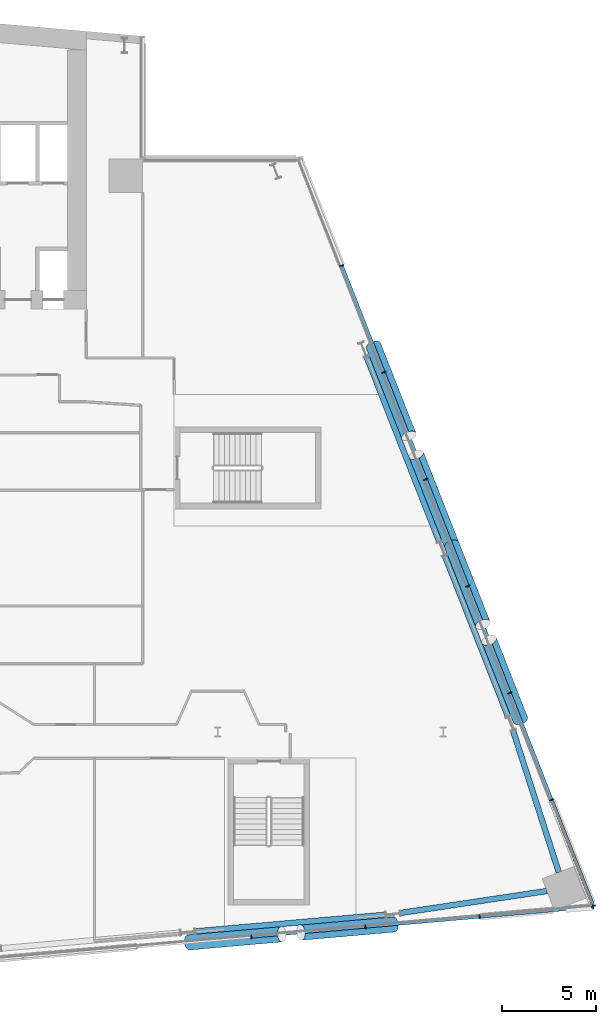
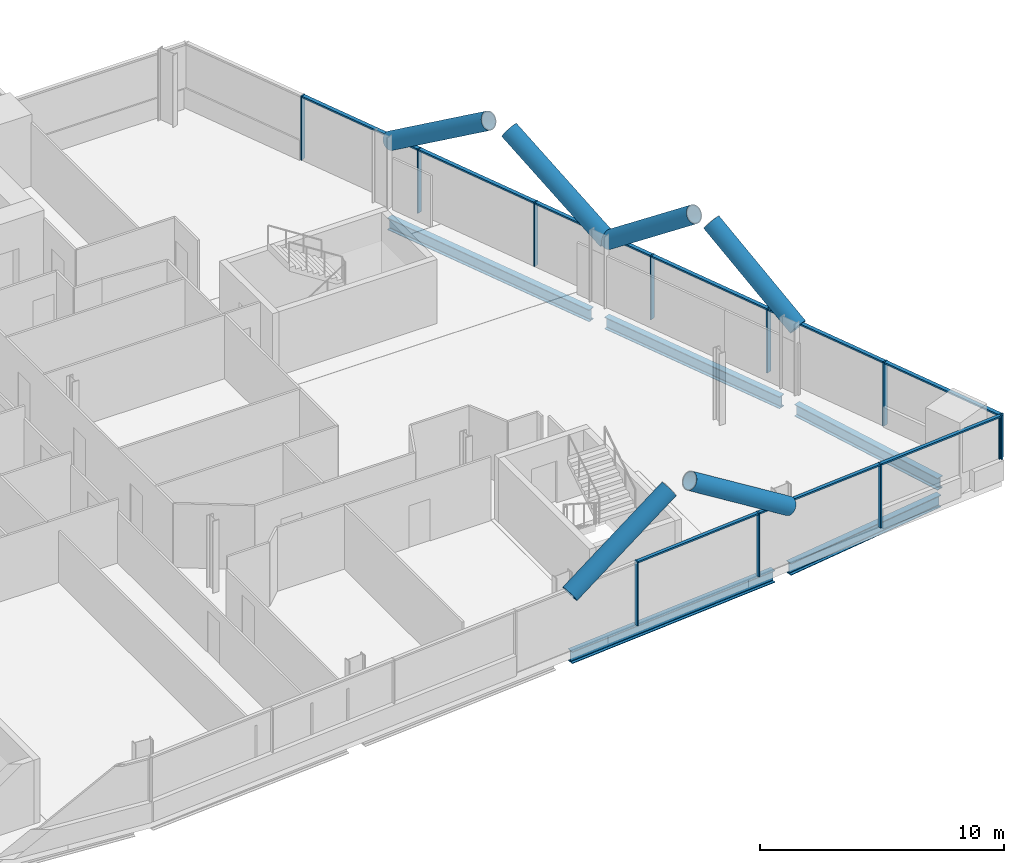
# One storey, part 10 of 26: 26 members, 5 beams, 2 elements without a shape of their own.
"""IFC4 building model written with IfcOpenShell, lengths in metres."""

import ifcopenshell
import ifcopenshell.guid

model = None  # the IFC model being written
_history = None  # IfcOwnerHistory: only IFC2X3 demands one
_inside = {}  # id of a spatial element -> (the spatial element, [elements in it])
_under = {}  # id of a project, library or spatial element -> (it, [spatial elements below it])
_declared = {}  # id of a project -> (the project, [libraries it declares])
_typed = {}  # id of a type object -> (the type object, [elements of that type])
_made_of = {}  # id of a material, layer set ... -> (it, [elements and type objects made of it])


def new_model(schema):
    """Start an empty IFC model of exactly this schema.

    Asked for "IFC4X3", IfcOpenShell would pick the latest addendum, in which some entities
    have other attributes; the version numbers below select the first issue.
    IFC2X3 requires an IfcOwnerHistory on every rooted entity: one is made here for all.
    """
    global model, _history
    if schema == "IFC4X3":
        model = ifcopenshell.file(schema_version=(4, 3, 0, 0))
    else:
        model = ifcopenshell.file(schema=schema)
    _inside.clear()
    _under.clear()
    _declared.clear()
    _typed.clear()
    _made_of.clear()
    _history = None
    if model.schema == "IFC2X3":
        org = make("IfcOrganization", Name="unknown")
        user = make(
            "IfcPersonAndOrganization",
            ThePerson=make("IfcPerson", FamilyName="unknown"),
            TheOrganization=org,
        )
        app = make(
            "IfcApplication",
            ApplicationDeveloper=org,
            Version="unknown",
            ApplicationFullName="unknown",
            ApplicationIdentifier="unknown",
        )
        _history = make(
            "IfcOwnerHistory",
            OwningUser=user,
            OwningApplication=app,
            ChangeAction="ADDED",
            CreationDate=0,
        )
    return model


def make(cls, **values):
    """One entity of the class cls with the attributes given. An attribute that is None is left unset."""
    return model.create_entity(
        cls, **{name: value for name, value in values.items() if value is not None}
    )


def rooted(cls, **values):
    """An entity with a GlobalId (a new one), such as an element, a storey or a relation."""
    return make(cls, GlobalId=ifcopenshell.guid.new(), OwnerHistory=_history, **values)


def si_unit(unit_type, name, prefix=None):
    """IfcSIUnit, for example si_unit("LENGTHUNIT", "METRE", prefix="MILLI")."""
    return make("IfcSIUnit", UnitType=unit_type, Prefix=prefix, Name=name)


def assignment(units):
    """IfcUnitAssignment: the units of a project."""
    return None if units is None else make("IfcUnitAssignment", Units=units)


def point(xyz):
    """IfcCartesianPoint."""
    return None if xyz is None else make("IfcCartesianPoint", Coordinates=xyz)


def direction(xyz):
    """IfcDirection."""
    return None if xyz is None else make("IfcDirection", DirectionRatios=xyz)


def frame(location, z_axis=None, x_axis=None):
    """IfcAxis2Placement3D, a coordinate frame: its origin and axes. An axis left out is left unset."""
    return make(
        "IfcAxis2Placement3D",
        Location=point(location),
        Axis=direction(z_axis),
        RefDirection=direction(x_axis),
    )


def frame_2d(location, x_axis=None):
    """IfcAxis2Placement2D, a coordinate frame in the plane: its origin and x axis."""
    return make(
        "IfcAxis2Placement2D", Location=point(location), RefDirection=direction(x_axis)
    )


def origin():
    """The frame at (0, 0, 0) with its axes left unset."""
    return frame((0.0, 0.0, 0.0))


def origin_2d():
    """The frame at (0, 0) in the plane with its x axis left unset."""
    return frame_2d((0.0, 0.0))


def place(relative_to, where):
    """IfcLocalPlacement: puts the frame where relative to a parent placement (None: the world)."""
    return make(
        "IfcLocalPlacement", PlacementRelTo=relative_to, RelativePlacement=where
    )


def context(
    kind, dimensions, precision=None, world=None, true_north=None, identifier=None
):
    """IfcGeometricRepresentationContext, for example the 3D "Model" context."""
    return make(
        "IfcGeometricRepresentationContext",
        ContextIdentifier=identifier,
        ContextType=kind,
        CoordinateSpaceDimension=dimensions,
        Precision=precision,
        WorldCoordinateSystem=world,
        TrueNorth=true_north,
    )


def subcontext(parent, identifier, kind, view, scale=None):
    """IfcGeometricRepresentationSubContext, for example "Body" below "Model"."""
    return make(
        "IfcGeometricRepresentationSubContext",
        ContextIdentifier=identifier,
        ContextType=kind,
        ParentContext=parent,
        TargetScale=scale,
        TargetView=view,
    )


def project(units=None, contexts=None):
    """IfcProject with its units and contexts."""
    return rooted(
        "IfcProject",
        Name="project",
        RepresentationContexts=contexts,
        UnitsInContext=assignment(units),
    )


def spatial(cls, under=None, at=None, **own):
    """A site, building, storey or space (cls), placed at a placement, below another one or the project."""
    s = rooted(cls, ObjectPlacement=at, **own)
    if under is not None:
        _under.setdefault(under.id(), (under, []))[1].append(s)
    return s


def profile(cls, at=None, kind="AREA", **sizes):
    """A parametric profile (cls). Its sizes go by their IFC names, for example OverallWidth=200.0."""
    return make(cls, ProfileType=kind, Position=at, **sizes)


def rectangle(**sizes):
    """IfcRectangleProfileDef."""
    return profile("IfcRectangleProfileDef", **sizes)


def hollow_circle(**sizes):
    """IfcCircleHollowProfileDef."""
    return profile("IfcCircleHollowProfileDef", **sizes)


def i_section(**sizes):
    """IfcIShapeProfileDef."""
    return profile("IfcIShapeProfileDef", **sizes)


def extrude(swept, where, along, depth):
    """IfcExtrudedAreaSolid: the profile swept, set in the frame where, extruded along a direction by depth."""
    return make(
        "IfcExtrudedAreaSolid",
        SweptArea=swept,
        Position=where,
        ExtrudedDirection=direction(along),
        Depth=depth,
    )


def shape(context_of_items, identifier, shape_type, items):
    """IfcShapeRepresentation: the items that make up one representation, for example the "Body"."""
    return make(
        "IfcShapeRepresentation",
        ContextOfItems=context_of_items,
        RepresentationIdentifier=identifier,
        RepresentationType=shape_type,
        Items=items,
    )


def material(Name=None, Category=None):
    """IfcMaterial."""
    return make("IfcMaterial", Name=Name, Category=Category)


def material_profile(
    of_material, cross_section, Name=None, Category=None, Priority=None
):
    """IfcMaterialProfile: a cross section and its material."""
    return make(
        "IfcMaterialProfile",
        Name=Name,
        Material=of_material,
        Profile=cross_section,
        Priority=Priority,
        Category=Category,
    )


def profile_set(profiles, Name=None, composite=None):
    """IfcMaterialProfileSet."""
    return make(
        "IfcMaterialProfileSet",
        Name=Name,
        MaterialProfiles=profiles,
        CompositeProfile=composite,
    )


def made_of(thing, what):
    """Note that an element or type object is made of a material, layer set ...; save() writes the relation."""
    if what is not None:
        _made_of.setdefault(what.id(), (what, []))[1].append(thing)
    return thing


def type_object(cls, material=None, **own):
    """A type object (cls), such as IfcWallType, which elements share."""
    return made_of(rooted(cls, **own), material)


def element(
    cls,
    number,
    at=None,
    inside=None,
    cuts=None,
    type_object=None,
    material=None,
    context=None,
    identifier="Body",
    shape_type=None,
    held_by="IfcProductDefinitionShape",
    body=None,
    shapes=None,
    **own,
):
    """One element of the class cls, such as IfcWall. Its Tag is "e" and its number.

    at: its placement. inside: the storey or other place that contains it. cuts: it is an
    opening in that element (IfcRelVoidsElement). A single representation is given by context,
    identifier, shape_type and body (its items); several are given by shapes. held_by: the class
    of the entity that holds the representations. save() writes the other relations.
    """
    e = rooted(cls, Tag="e%d" % number, ObjectPlacement=at, **own)
    if body is not None:
        shapes = [shape(context, identifier, shape_type, body)]
    if shapes is not None:
        e.Representation = make(held_by, Representations=shapes)
    if inside is not None:
        _inside.setdefault(inside.id(), (inside, []))[1].append(e)
    if cuts is not None:
        rooted(
            "IfcRelVoidsElement", RelatingBuildingElement=cuts, RelatedOpeningElement=e
        )
    if type_object is not None:
        _typed.setdefault(type_object.id(), (type_object, []))[1].append(e)
    return made_of(e, material)


def aggregate(whole, parts):
    """IfcRelAggregates: a whole, such as a stair, and the parts it consists of."""
    return rooted("IfcRelAggregates", RelatingObject=whole, RelatedObjects=parts)


def save(model, path):
    """Write the relations noted so far, then the file.

    IfcRelAggregates (storeys below a building ...), IfcRelContainedInSpatialStructure (elements
    in a storey), IfcRelDefinesByType, IfcRelAssociatesMaterial and IfcRelDeclares: one each for
    every whole, place, type object, material and project.
    """
    for whole, parts in _under.values():
        aggregate(whole, parts)
    for where, things in _inside.values():
        rooted(
            "IfcRelContainedInSpatialStructure",
            RelatedElements=things,
            RelatingStructure=where,
        )
    for kind, things in _typed.values():
        rooted("IfcRelDefinesByType", RelatedObjects=things, RelatingType=kind)
    for what, things in _made_of.values():
        rooted("IfcRelAssociatesMaterial", RelatedObjects=things, RelatingMaterial=what)
    for by, libraries in _declared.values():
        rooted("IfcRelDeclares", RelatingContext=by, RelatedDefinitions=libraries)
    model.write(path)


model = new_model("IFC4")

# Units and contexts
model_context = context("Model", 3, precision=1e-05, world=origin(), true_north=direction((0.0, 1.0)))
body_context = subcontext(model_context, "Body", "Model", "MODEL_VIEW")
ifc_project = project(units=[si_unit("LENGTHUNIT", "METRE"), si_unit("AREAUNIT", "SQUARE_METRE"), si_unit("VOLUMEUNIT", "CUBIC_METRE"), si_unit("PLANEANGLEUNIT", "RADIAN"), si_unit("MASSUNIT", "GRAM", prefix="KILO")], contexts=[model_context])

# Site, building, storey
site_placement = place(None, origin())
site = spatial("IfcSite", under=ifc_project, at=site_placement, CompositionType="ELEMENT")
building_placement = place(site_placement, origin())
building = spatial("IfcBuilding", under=site, at=building_placement, Name="Wharfspan Tower", CompositionType="ELEMENT")
storey_placement = place(building_placement, frame((0.0, 0.0, 114.699951)))
storey = spatial("IfcBuildingStorey", under=building, at=storey_placement, Name="L26", CompositionType="ELEMENT", Elevation=114.699951)

# Beams
ifc_material_1 = material(Name="Steel S355J2", Category="steel")
ifc_material_profile_1 = material_profile(ifc_material_1, i_section(OverallWidth=0.300049, OverallDepth=0.600098, WebThickness=0.015381, FlangeThickness=0.030029, FilletRadius=0.0271, at=origin_2d()))
ifc_profile_set_1 = profile_set([ifc_material_profile_1], Name="Steel S355J2")
beam_type = type_object("IfcBeamType", Name="Edge beam HEB 600", PredefinedType="SPANDREL", material=ifc_profile_set_1)
beam_1_placement = place(storey_placement, frame((70.805664, 0.887695, -0.699951), z_axis=(0.996194, 0.087159, 0.0), x_axis=(-0.087159, 0.996194, 0.0)))
element("IfcBeam", 1, at=beam_1_placement, inside=storey, type_object=beam_type, Name="Edge beam S2 L26 PS2.2 to PS2.3", PredefinedType="SPANDREL", context=body_context, shape_type="SweptSolid", body=[
    extrude(i_section(OverallWidth=0.300049, OverallDepth=0.600098, WebThickness=0.015381, FlangeThickness=0.030029, FilletRadius=0.0271, at=origin_2d()), origin(), (0.0, 0.0, 1.0), 10.159424),
])
beam_2_placement = place(storey_placement, frame((81.727295, 1.868408, -0.699951), z_axis=(0.988926, 0.148412, 0.0), x_axis=(-0.148412, 0.988926, 0.0)))
element("IfcBeam", 2, at=beam_2_placement, inside=storey, type_object=beam_type, Name="Edge beam S2 L26 PS2.3 to MC4", PredefinedType="SPANDREL", context=body_context, shape_type="SweptSolid", body=[
    extrude(i_section(OverallWidth=0.300049, OverallDepth=0.600098, WebThickness=0.015381, FlangeThickness=0.030029, FilletRadius=0.0271, at=origin_2d()), origin(), (0.0, 0.0, 1.0), 7.87793),
])
beam_3_placement = place(storey_placement, frame((90.150879, 4.02832, -0.699951), z_axis=(-0.307851, 0.951434, 0.0), x_axis=(-0.951434, -0.307851, 0.0)))
element("IfcBeam", 3, at=beam_3_placement, inside=storey, type_object=beam_type, Name="Edge beam E L26 MC4 to PE.1", PredefinedType="SPANDREL", context=body_context, shape_type="SweptSolid", body=[
    extrude(i_section(OverallWidth=0.300049, OverallDepth=0.600098, WebThickness=0.015381, FlangeThickness=0.030029, FilletRadius=0.0271, at=origin_2d()), origin(), (0.0, 0.0, 1.0), 7.924805),
])
beam_4_placement = place(storey_placement, frame((87.439453, 12.327637, -0.699951), z_axis=(-0.365779, 0.930702, 0.0), x_axis=(-0.930702, -0.365779, 0.0)))
element("IfcBeam", 4, at=beam_4_placement, inside=storey, type_object=beam_type, Name="Edge beam E L26 PE.1 to PE.2", PredefinedType="SPANDREL", context=body_context, shape_type="SweptSolid", body=[
    extrude(i_section(OverallWidth=0.300049, OverallDepth=0.600098, WebThickness=0.015381, FlangeThickness=0.030029, FilletRadius=0.0271, at=origin_2d()), origin(), (0.0, 0.0, 1.0), 9.184814),
])
beam_5_placement = place(storey_placement, frame((83.785156, 21.625977, -0.699951), z_axis=(-0.365789, 0.930698, 0.0), x_axis=(-0.930698, -0.365789, 0.0)))
element("IfcBeam", 5, at=beam_5_placement, inside=storey, type_object=beam_type, Name="Edge beam E L26 PE.2 to PE.3", PredefinedType="SPANDREL", context=body_context, shape_type="SweptSolid", body=[
    extrude(i_section(OverallWidth=0.300049, OverallDepth=0.600098, WebThickness=0.015381, FlangeThickness=0.030029, FilletRadius=0.0271, at=origin_2d()), origin(), (0.0, 0.0, 1.0), 10.584961),
])

# Curtain wall, members
ifc_material_2 = material(Name="Aluminium 6063-T6", Category="aluminium")
curtain_wall_type_1 = type_object("IfcCurtainWallType", Name="CURTAIN WALL FACETED FRONT", PredefinedType="NOTDEFINED", material=ifc_material_2)
curtain_wall_1_placement = place(storey_placement, origin())
curtain_wall_1 = element("IfcCurtainWall", 6, at=curtain_wall_1_placement, inside=storey, type_object=curtain_wall_type_1, Name="Curtain wall S2", PredefinedType="NOTDEFINED")
ifc_material_profile_2 = material_profile(ifc_material_2, rectangle(XDim=0.199951, YDim=0.060059, at=origin_2d()))
ifc_profile_set_2 = profile_set([ifc_material_profile_2], Name="Aluminium 6063-T6")
member_type_1 = type_object("IfcMemberType", Name="MULLION FACETED FRONT 60x200", PredefinedType="MULLION", material=ifc_profile_set_2)
member_1_placement = place(storey_placement, frame((73.785645, 0.606445, 0.0), z_axis=(0.0, 0.0, 1.0), x_axis=(-0.087156, 0.996198, 0.0)))
member_1 = element("IfcMember", 7, at=member_1_placement, type_object=member_type_1, Name="Curtain wall S2 mullion 5", PredefinedType="MULLION", context=body_context, shape_type="SweptSolid", body=[
    extrude(rectangle(XDim=0.199951, YDim=0.060059, at=origin_2d()), origin(), (0.0, 0.0, 1.0), 3.199951),
])
member_2_placement = place(storey_placement, frame((79.857178, 1.137695, 0.0), z_axis=(0.0, 0.0, 1.0), x_axis=(-0.087156, 0.996198, 0.0)))
member_2 = element("IfcMember", 8, at=member_2_placement, type_object=member_type_1, Name="Curtain wall S2 mullion 6", PredefinedType="MULLION", context=body_context, shape_type="SweptSolid", body=[
    extrude(rectangle(XDim=0.199951, YDim=0.060059, at=origin_2d()), origin(), (0.0, 0.0, 1.0), 3.199951),
])
member_3_placement = place(storey_placement, frame((85.928467, 1.668701, 0.0), z_axis=(0.0, 0.0, 1.0), x_axis=(-0.087156, 0.996198, 0.0)))
member_3 = element("IfcMember", 9, at=member_3_placement, type_object=member_type_1, Name="Curtain wall S2 mullion 7", PredefinedType="MULLION", context=body_context, shape_type="SweptSolid", body=[
    extrude(rectangle(XDim=0.199951, YDim=0.060059, at=origin_2d()), origin(), (0.0, 0.0, 1.0), 3.199951),
])
member_4_placement = place(storey_placement, frame((91.970215, 2.197266, 1.0), z_axis=(0.0, 0.0, 1.0), x_axis=(-0.087156, 0.996198, 0.0)))
member_4 = element("IfcMember", 10, at=member_4_placement, type_object=member_type_1, Name="Curtain wall S2 mullion 8", PredefinedType="MULLION", context=body_context, shape_type="SweptSolid", body=[
    extrude(rectangle(XDim=0.199951, YDim=0.060059, at=origin_2d()), origin(), (0.0, 0.0, 1.0), 2.199951),
])

curtain_wall_type_2 = type_object("IfcCurtainWallType", Name="CURTAIN WALL PROW AND END", PredefinedType="NOTDEFINED", material=ifc_material_2)
curtain_wall_2_placement = place(storey_placement, origin())
curtain_wall_2 = element("IfcCurtainWall", 11, at=curtain_wall_2_placement, inside=storey, type_object=curtain_wall_type_2, Name="Curtain wall E", PredefinedType="NOTDEFINED")
ifc_material_profile_3 = material_profile(ifc_material_2, rectangle(XDim=0.23999, YDim=0.060059, at=origin_2d()))
ifc_profile_set_3 = profile_set([ifc_material_profile_3], Name="Aluminium 6063-T6")
member_type_2 = type_object("IfcMemberType", Name="MULLION PROW AND END 60x240", PredefinedType="MULLION", material=ifc_profile_set_3)
member_5_placement = place(storey_placement, frame((91.989014, 2.228027, 1.0), z_axis=(0.0, 0.0, 1.0), x_axis=(-0.930702, -0.365778, 0.0)))
member_5 = element("IfcMember", 12, at=member_5_placement, type_object=member_type_2, Name="Curtain wall E mullion 1", PredefinedType="MULLION", context=body_context, shape_type="SweptSolid", body=[
    extrude(rectangle(XDim=0.23999, YDim=0.060059, at=origin_2d()), origin(), (0.0, 0.0, 1.0), 2.199951),
])
member_6_placement = place(storey_placement, frame((89.765381, 7.885742, 0.0), z_axis=(0.0, 0.0, 1.0), x_axis=(-0.930702, -0.365778, 0.0)))
member_6 = element("IfcMember", 13, at=member_6_placement, type_object=member_type_2, Name="Curtain wall E mullion 2", PredefinedType="MULLION", context=body_context, shape_type="SweptSolid", body=[
    extrude(rectangle(XDim=0.23999, YDim=0.060059, at=origin_2d()), origin(), (0.0, 0.0, 1.0), 3.199951),
])
member_7_placement = place(storey_placement, frame((87.530762, 13.571533, 0.0), z_axis=(0.0, 0.0, 1.0), x_axis=(-0.930702, -0.365778, 0.0)))
member_7 = element("IfcMember", 14, at=member_7_placement, type_object=member_type_2, Name="Curtain wall E mullion 3", PredefinedType="MULLION", context=body_context, shape_type="SweptSolid", body=[
    extrude(rectangle(XDim=0.23999, YDim=0.060059, at=origin_2d()), origin(), (0.0, 0.0, 1.0), 3.199951),
])
member_8_placement = place(storey_placement, frame((85.296387, 19.25708, 0.0), z_axis=(0.0, 0.0, 1.0), x_axis=(-0.930702, -0.365778, 0.0)))
member_8 = element("IfcMember", 15, at=member_8_placement, type_object=member_type_2, Name="Curtain wall E mullion 4", PredefinedType="MULLION", context=body_context, shape_type="SweptSolid", body=[
    extrude(rectangle(XDim=0.23999, YDim=0.060059, at=origin_2d()), origin(), (0.0, 0.0, 1.0), 3.199951),
])
member_9_placement = place(storey_placement, frame((83.061768, 24.942871, 0.0), z_axis=(0.0, 0.0, 1.0), x_axis=(-0.930702, -0.365778, 0.0)))
member_9 = element("IfcMember", 16, at=member_9_placement, type_object=member_type_2, Name="Curtain wall E mullion 5", PredefinedType="MULLION", context=body_context, shape_type="SweptSolid", body=[
    extrude(rectangle(XDim=0.23999, YDim=0.060059, at=origin_2d()), origin(), (0.0, 0.0, 1.0), 3.199951),
])
member_10_placement = place(storey_placement, frame((80.827148, 30.628662, 0.0), z_axis=(0.0, 0.0, 1.0), x_axis=(-0.930702, -0.365778, 0.0)))
member_10 = element("IfcMember", 17, at=member_10_placement, type_object=member_type_2, Name="Curtain wall E mullion 6", PredefinedType="MULLION", context=body_context, shape_type="SweptSolid", body=[
    extrude(rectangle(XDim=0.23999, YDim=0.060059, at=origin_2d()), origin(), (0.0, 0.0, 1.0), 3.199951),
])
member_11_placement = place(storey_placement, frame((78.592529, 36.314209, 0.0), z_axis=(0.0, 0.0, 1.0), x_axis=(-0.930702, -0.365778, 0.0)))
member_11 = element("IfcMember", 18, at=member_11_placement, type_object=member_type_2, Name="Curtain wall E mullion 7", PredefinedType="MULLION", context=body_context, shape_type="SweptSolid", body=[
    extrude(rectangle(XDim=0.23999, YDim=0.060059, at=origin_2d()), origin(), (0.0, 0.0, 1.0), 3.199951),
])

# Members
ifc_material_3 = material(Name="Steel S460NH", Category="steel")
ifc_material_profile_4 = material_profile(ifc_material_3, hollow_circle(Radius=0.406494, WallThickness=0.040039, at=origin_2d()))
ifc_profile_set_4 = profile_set([ifc_material_profile_4], Name="Steel S460NH")
member_type_3 = type_object("IfcMemberType", Name="Mega brace CHS 813x40", PredefinedType="BRACE", material=ifc_profile_set_4)
member_12_placement = place(storey_placement, frame((70.452393, 0.299805, 2.900146), z_axis=(0.832734, 0.072869, 0.548858), x_axis=(-0.087173, 0.99619, 1e-06)))
element("IfcMember", 19, at=member_12_placement, inside=storey, type_object=member_type_3, Name="Mega brace S2 L27 part 1", PredefinedType="BRACE", context=body_context, shape_type="SweptSolid", body=[
    extrude(hollow_circle(Radius=0.406494, WallThickness=0.040039, at=origin_2d()), origin(), (0.0, 0.0, 1.0), 5.943604),
])
member_13_placement = place(storey_placement, frame((81.376221, 1.255371, 2.900146), z_axis=(-0.832724, -0.07283, 0.548878), x_axis=(0.087128, -0.996197, 1e-06)))
element("IfcMember", 20, at=member_13_placement, inside=storey, type_object=member_type_3, Name="Mega brace S2 L27 part 3", PredefinedType="BRACE", context=body_context, shape_type="SweptSolid", body=[
    extrude(hollow_circle(Radius=0.406494, WallThickness=0.040039, at=origin_2d()), origin(), (0.0, 0.0, 1.0), 5.943359),
])
member_14_placement = place(storey_placement, frame((84.448975, 21.454102, 2.900146), z_axis=(-0.309187, 0.786719, 0.534301), x_axis=(-0.930704, -0.365777, 4e-06)))
element("IfcMember", 21, at=member_14_placement, inside=storey, type_object=member_type_3, Name="Mega brace E5 L27 part 1", PredefinedType="BRACE", context=body_context, shape_type="SweptSolid", body=[
    extrude(hollow_circle(Radius=0.406494, WallThickness=0.040039, at=origin_2d()), origin(), (0.0, 0.0, 1.0), 6.098145),
])
member_15_placement = place(storey_placement, frame((80.282471, 32.05542, 2.900146), z_axis=(0.309223, -0.786709, 0.534294), x_axis=(0.930685, 0.365812, -3e-06)))
element("IfcMember", 22, at=member_15_placement, inside=storey, type_object=member_type_3, Name="Mega brace E5 L27 part 3", PredefinedType="BRACE", context=body_context, shape_type="SweptSolid", body=[
    extrude(hollow_circle(Radius=0.406494, WallThickness=0.040039, at=origin_2d()), origin(), (0.0, 0.0, 1.0), 6.098389),
])
member_16_placement = place(storey_placement, frame((88.103516, 12.155518, 2.900146), z_axis=(-0.29676, 0.755051, 0.584664), x_axis=(-0.930695, -0.365797, 4e-06)))
element("IfcMember", 23, at=member_16_placement, inside=storey, type_object=member_type_3, Name="Mega brace E6 L27 part 1", PredefinedType="BRACE", context=body_context, shape_type="SweptSolid", body=[
    extrude(hollow_circle(Radius=0.406494, WallThickness=0.040039, at=origin_2d()), origin(), (0.0, 0.0, 1.0), 5.59668),
])
member_17_placement = place(storey_placement, frame((84.448975, 21.454102, 2.900146), z_axis=(0.29675, -0.75507, 0.584645), x_axis=(0.930704, 0.365779, 4e-06)))
element("IfcMember", 24, at=member_17_placement, inside=storey, type_object=member_type_3, Name="Mega brace E6 L27 part 3", PredefinedType="BRACE", context=body_context, shape_type="SweptSolid", body=[
    extrude(hollow_circle(Radius=0.406494, WallThickness=0.040039, at=origin_2d()), origin(), (0.0, 0.0, 1.0), 5.596924),
])

# Member
ifc_material_profile_5 = material_profile(ifc_material_2, rectangle(XDim=0.159912, YDim=0.080078, at=origin_2d()))
ifc_profile_set_5 = profile_set([ifc_material_profile_5], Name="Aluminium 6063-T6")
member_type_4 = type_object("IfcMemberType", Name="TRANSOM FACETED FRONT 80x160", PredefinedType="USERDEFINED", material=ifc_profile_set_5)
member_18_placement = place(storey_placement, frame((73.815674, 0.609131, 3.160156), z_axis=(0.996196, 0.087146, 0.0), x_axis=(-0.087146, 0.996196, 0.0)))
member_18 = element("IfcMember", 25, at=member_18_placement, type_object=member_type_4, Name="Curtain wall S2 transom 5", ObjectType="TRANSOM", PredefinedType="USERDEFINED", context=body_context, shape_type="SweptSolid", body=[
    extrude(rectangle(XDim=0.159912, YDim=0.080078, at=origin_2d()), origin(), (0.0, 0.0, 1.0), 6.034424),
])

member_19_placement = place(storey_placement, frame((79.886963, 1.140137, 3.160156), z_axis=(0.996192, 0.087183, 0.0), x_axis=(-0.087183, 0.996192, 0.0)))
member_19 = element("IfcMember", 26, at=member_19_placement, type_object=member_type_4, Name="Curtain wall S2 transom 6", ObjectType="TRANSOM", PredefinedType="USERDEFINED", context=body_context, shape_type="SweptSolid", body=[
    extrude(rectangle(XDim=0.159912, YDim=0.080078, at=origin_2d()), origin(), (0.0, 0.0, 1.0), 6.034668),
])

member_20_placement = place(storey_placement, frame((85.958496, 1.671387, 3.160156), z_axis=(0.996193, 0.087174, 0.0), x_axis=(-0.087174, 0.996193, 0.0)))
member_20 = element("IfcMember", 27, at=member_20_placement, type_object=member_type_4, Name="Curtain wall S2 transom 7", ObjectType="TRANSOM", PredefinedType="USERDEFINED", context=body_context, shape_type="SweptSolid", body=[
    extrude(rectangle(XDim=0.159912, YDim=0.080078, at=origin_2d()), origin(), (0.0, 0.0, 1.0), 6.004639),
])

aggregate(curtain_wall_1, [member_1, member_2, member_3, member_4, member_18, member_19, member_20])

ifc_material_profile_6 = material_profile(ifc_material_2, rectangle(XDim=0.179932, YDim=0.080078, at=origin_2d()))
ifc_profile_set_6 = profile_set([ifc_material_profile_6], Name="Aluminium 6063-T6")
member_type_5 = type_object("IfcMemberType", Name="TRANSOM PROW AND END 80x180", PredefinedType="USERDEFINED", material=ifc_profile_set_6)
member_21_placement = place(storey_placement, frame((91.978027, 2.255859, 3.160156), z_axis=(-0.365775, 0.930703, 0.0), x_axis=(-0.930703, -0.365775, 0.0)))
member_21 = element("IfcMember", 28, at=member_21_placement, type_object=member_type_5, Name="Curtain wall E transom 1", ObjectType="TRANSOM", PredefinedType="USERDEFINED", context=body_context, shape_type="SweptSolid", body=[
    extrude(rectangle(XDim=0.179932, YDim=0.080078, at=origin_2d()), origin(), (0.0, 0.0, 1.0), 6.019043),
])

member_22_placement = place(storey_placement, frame((89.754395, 7.913574, 3.160156), z_axis=(-0.365782, 0.9307, 0.0), x_axis=(-0.9307, -0.365782, 0.0)))
member_22 = element("IfcMember", 29, at=member_22_placement, type_object=member_type_5, Name="Curtain wall E transom 2", ObjectType="TRANSOM", PredefinedType="USERDEFINED", context=body_context, shape_type="SweptSolid", body=[
    extrude(rectangle(XDim=0.179932, YDim=0.080078, at=origin_2d()), origin(), (0.0, 0.0, 1.0), 6.049072),
])

member_23_placement = place(storey_placement, frame((87.52002, 13.599365, 3.160156), z_axis=(-0.365782, 0.9307, 0.0), x_axis=(-0.9307, -0.365782, 0.0)))
member_23 = element("IfcMember", 30, at=member_23_placement, type_object=member_type_5, Name="Curtain wall E transom 3", ObjectType="TRANSOM", PredefinedType="USERDEFINED", context=body_context, shape_type="SweptSolid", body=[
    extrude(rectangle(XDim=0.179932, YDim=0.080078, at=origin_2d()), origin(), (0.0, 0.0, 1.0), 6.049072),
])

member_24_placement = place(storey_placement, frame((85.2854, 19.285156, 3.160156), z_axis=(-0.365782, 0.9307, 0.0), x_axis=(-0.9307, -0.365782, 0.0)))
member_24 = element("IfcMember", 31, at=member_24_placement, type_object=member_type_5, Name="Curtain wall E transom 4", ObjectType="TRANSOM", PredefinedType="USERDEFINED", context=body_context, shape_type="SweptSolid", body=[
    extrude(rectangle(XDim=0.179932, YDim=0.080078, at=origin_2d()), origin(), (0.0, 0.0, 1.0), 6.049072),
])

member_25_placement = place(storey_placement, frame((83.050781, 24.970703, 3.160156), z_axis=(-0.365782, 0.9307, 0.0), x_axis=(-0.9307, -0.365782, 0.0)))
member_25 = element("IfcMember", 32, at=member_25_placement, type_object=member_type_5, Name="Curtain wall E transom 5", ObjectType="TRANSOM", PredefinedType="USERDEFINED", context=body_context, shape_type="SweptSolid", body=[
    extrude(rectangle(XDim=0.179932, YDim=0.080078, at=origin_2d()), origin(), (0.0, 0.0, 1.0), 6.049072),
])

member_26_placement = place(storey_placement, frame((80.816162, 30.656494, 3.160156), z_axis=(-0.365782, 0.9307, 0.0), x_axis=(-0.9307, -0.365782, 0.0)))
member_26 = element("IfcMember", 33, at=member_26_placement, type_object=member_type_5, Name="Curtain wall E transom 6", ObjectType="TRANSOM", PredefinedType="USERDEFINED", context=body_context, shape_type="SweptSolid", body=[
    extrude(rectangle(XDim=0.179932, YDim=0.080078, at=origin_2d()), origin(), (0.0, 0.0, 1.0), 6.049072),
])

aggregate(curtain_wall_2, [member_5, member_6, member_7, member_8, member_9, member_10, member_11, member_21, member_22, member_23, member_24, member_25, member_26])

save(model, "model.ifc")
